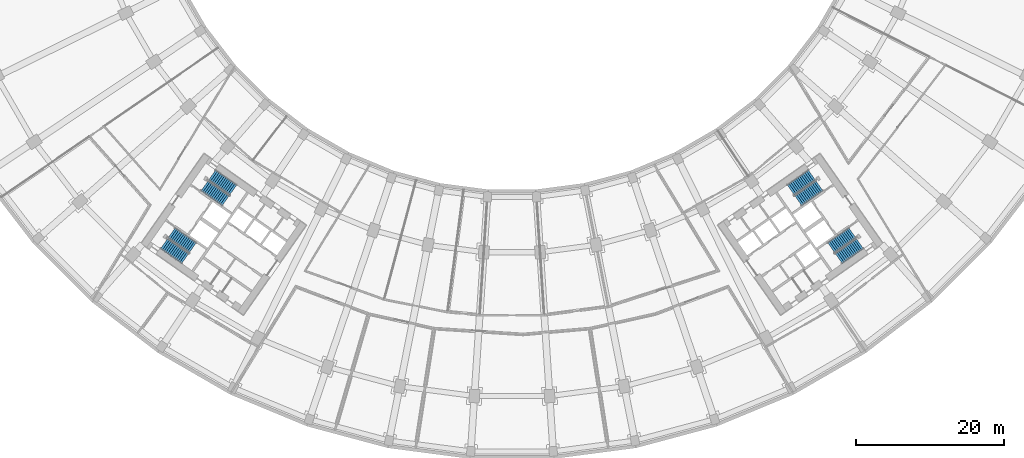
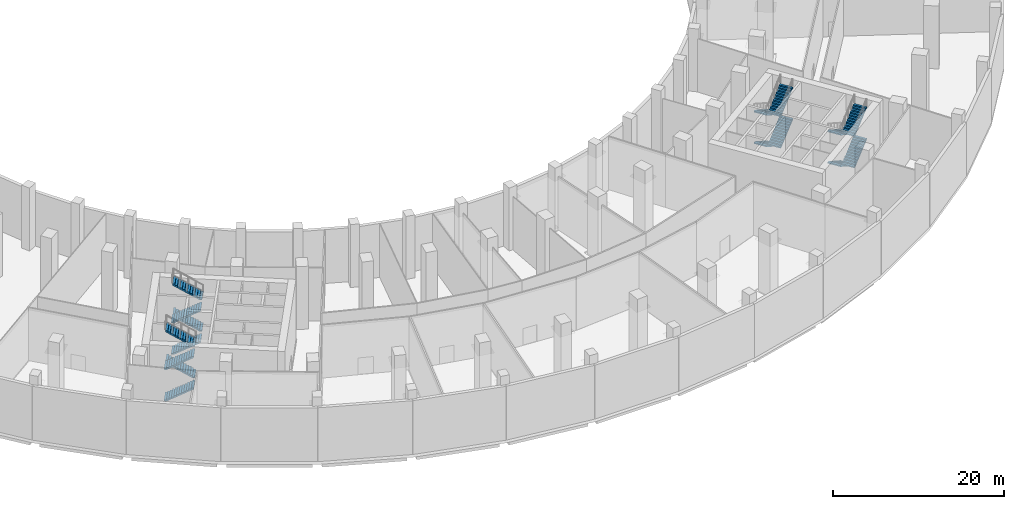
# One storey, part 12 of 17: 16 stair flights, 4 elements without a shape of their own.
"""IFC4 building model written with IfcOpenShell, lengths in metres."""

from ifc_helpers import new_model, si_unit, direction, frame, origin, place, context, subcontext, project, spatial, polyline, outline, extrude, material, type_object, element, aggregate, save


model = new_model("IFC4")

# Units and contexts
model_context = context("Model", 3, precision=1e-05, world=origin(), true_north=direction((0.0, 1.0)))
body_context = subcontext(model_context, "Body", "Model", "MODEL_VIEW")
ifc_project = project(units=[si_unit("LENGTHUNIT", "METRE"), si_unit("AREAUNIT", "SQUARE_METRE"), si_unit("VOLUMEUNIT", "CUBIC_METRE"), si_unit("PLANEANGLEUNIT", "RADIAN"), si_unit("MASSUNIT", "GRAM", prefix="KILO")], contexts=[model_context])

# Site, building, storey
site_placement = place(None, origin())
site = spatial("IfcSite", under=ifc_project, at=site_placement, CompositionType="ELEMENT")
building_placement = place(site_placement, origin())
building = spatial("IfcBuilding", under=site, at=building_placement, Name="Qamariyya Broadcast Tower", CompositionType="ELEMENT")
storey_placement = place(building_placement, frame((0.0, 0.0, 18.0)))
storey = spatial("IfcBuildingStorey", under=building, at=storey_placement, Name="L02", CompositionType="ELEMENT", Elevation=18.0)

# Stair, stair flights
ifc_material = material(Name="Concrete C50/60", Category="concrete")
stair_type = type_object("IfcStairType", Name="Exit stair 52 risers of 173 mm", PredefinedType="HALF_TURN_STAIR", material=ifc_material)
stair_1_placement = place(storey_placement, origin())
stair_1 = element("IfcStair", 1, at=stair_1_placement, inside=storey, type_object=stair_type, Name="L02 Stair W2", PredefinedType="HALF_TURN_STAIR")
stair_flight_type = type_object("IfcStairFlightType", Name="Exit stair flight 13 risers of 173 mm", PredefinedType="STRAIGHT", material=ifc_material)
stair_flight_1_placement = place(storey_placement, frame((-41.59130859375, -49.15966796875, 0.0), z_axis=(0.0, 0.0, 1.0), x_axis=(0.819152044289, -0.573576436351, 0.0)))
stair_flight_1 = element("IfcStairFlight", 2, at=stair_flight_1_placement, type_object=stair_flight_type, Name="ST-W2 flight 1", NumberOfRisers=13, NumberOfTreads=12, PredefinedType="STRAIGHT", RiserHeight=0.173076923, TreadLength=0.29, context=body_context, shape_type="SweptSolid", body=[
    extrude(outline(polyline([(0.0, 0.0), (0.0, 0.173095703125), (0.2900390625, 0.173095703125), (0.2900390625, 0.34619140625), (0.580078125, 0.34619140625), (0.580078125, 0.519287109375), (0.8701171875, 0.519287109375), (0.8701171875, 0.6923828125), (1.159912109375, 0.6923828125), (1.159912109375, 0.865478515625), (1.449951171875, 0.865478515625), (1.449951171875, 1.03857421875), (1.739990234375, 1.03857421875), (1.739990234375, 1.21142578125), (2.030029296875, 1.21142578125), (2.030029296875, 1.384521484375), (2.320068359375, 1.384521484375), (2.320068359375, 1.5576171875), (2.610107421875, 1.5576171875), (2.610107421875, 1.730712890625), (2.89990234375, 1.730712890625), (2.89990234375, 1.90380859375), (3.18994140625, 1.90380859375), (3.18994140625, 2.076904296875), (3.47998046875, 2.076904296875), (3.47998046875, 2.25), (3.47998046875, 1.90234375), (0.29248046875, 0.0), (0.0, 0.0)])), frame((0.0, 0.824951171875, 0.0), z_axis=(0.0, -1.0, 0.0), x_axis=(1.0, 0.0, 0.0)), (0.0, 0.0, 1.0), 1.64990234375),
])
stair_flight_2_placement = place(storey_placement, frame((-37.7080078125, -49.681396484375, 2.25), z_axis=(0.0, 0.0, 1.0), x_axis=(-0.819152044289, 0.573576436351, 0.0)))
stair_flight_2 = element("IfcStairFlight", 3, at=stair_flight_2_placement, type_object=stair_flight_type, Name="ST-W2 flight 2", NumberOfRisers=13, NumberOfTreads=12, PredefinedType="STRAIGHT", RiserHeight=0.173076923, TreadLength=0.29, context=body_context, shape_type="SweptSolid", body=[
    extrude(outline(polyline([(0.0, 0.0), (0.0, 0.173095703125), (0.2900390625, 0.173095703125), (0.2900390625, 0.34619140625), (0.580078125, 0.34619140625), (0.580078125, 0.519287109375), (0.8701171875, 0.519287109375), (0.8701171875, 0.6923828125), (1.159912109375, 0.6923828125), (1.159912109375, 0.865478515625), (1.449951171875, 0.865478515625), (1.449951171875, 1.03857421875), (1.739990234375, 1.03857421875), (1.739990234375, 1.21142578125), (2.030029296875, 1.21142578125), (2.030029296875, 1.384521484375), (2.320068359375, 1.384521484375), (2.320068359375, 1.5576171875), (2.610107421875, 1.5576171875), (2.610107421875, 1.730712890625), (2.89990234375, 1.730712890625), (2.89990234375, 1.90380859375), (3.18994140625, 1.90380859375), (3.18994140625, 2.076904296875), (3.47998046875, 2.076904296875), (3.47998046875, 2.25), (3.47998046875, 1.90234375), (0.29248046875, 0.0), (0.0, 0.0)])), frame((0.0, 0.824951171875, 0.0), z_axis=(0.0, -1.0, 0.0), x_axis=(1.0, 0.0, 0.0)), (0.0, 0.0, 1.0), 1.64990234375),
])
stair_flight_3_placement = place(storey_placement, frame((-41.59130859375, -49.15966796875, 4.5), z_axis=(0.0, 0.0, 1.0), x_axis=(0.819152044289, -0.573576436351, 0.0)))
stair_flight_3 = element("IfcStairFlight", 4, at=stair_flight_3_placement, type_object=stair_flight_type, Name="ST-W2 flight 3", NumberOfRisers=13, NumberOfTreads=12, PredefinedType="STRAIGHT", RiserHeight=0.173076923, TreadLength=0.29, context=body_context, shape_type="SweptSolid", body=[
    extrude(outline(polyline([(0.0, 0.0), (0.0, 0.173095703125), (0.2900390625, 0.173095703125), (0.2900390625, 0.34619140625), (0.580078125, 0.34619140625), (0.580078125, 0.519287109375), (0.8701171875, 0.519287109375), (0.8701171875, 0.6923828125), (1.159912109375, 0.6923828125), (1.159912109375, 0.865478515625), (1.449951171875, 0.865478515625), (1.449951171875, 1.03857421875), (1.739990234375, 1.03857421875), (1.739990234375, 1.21142578125), (2.030029296875, 1.21142578125), (2.030029296875, 1.384521484375), (2.320068359375, 1.384521484375), (2.320068359375, 1.5576171875), (2.610107421875, 1.5576171875), (2.610107421875, 1.730712890625), (2.89990234375, 1.730712890625), (2.89990234375, 1.90380859375), (3.18994140625, 1.90380859375), (3.18994140625, 2.076904296875), (3.47998046875, 2.076904296875), (3.47998046875, 2.25), (3.47998046875, 1.90234375), (0.29248046875, 0.0), (0.0, 0.0)])), frame((0.0, 0.824951171875, 0.0), z_axis=(0.0, -1.0, 0.0), x_axis=(1.0, 0.0, 0.0)), (0.0, 0.0, 1.0), 1.64990234375),
])
stair_flight_4_placement = place(storey_placement, frame((-37.7080078125, -49.681396484375, 6.75), z_axis=(0.0, 0.0, 1.0), x_axis=(-0.819152044289, 0.573576436351, 0.0)))
stair_flight_4 = element("IfcStairFlight", 5, at=stair_flight_4_placement, type_object=stair_flight_type, Name="ST-W2 flight 4", NumberOfRisers=13, NumberOfTreads=12, PredefinedType="STRAIGHT", RiserHeight=0.173076923, TreadLength=0.29, context=body_context, shape_type="SweptSolid", body=[
    extrude(outline(polyline([(0.0, 0.0), (0.0, 0.173095703125), (0.2900390625, 0.173095703125), (0.2900390625, 0.34619140625), (0.580078125, 0.34619140625), (0.580078125, 0.519287109375), (0.8701171875, 0.519287109375), (0.8701171875, 0.6923828125), (1.159912109375, 0.6923828125), (1.159912109375, 0.865478515625), (1.449951171875, 0.865478515625), (1.449951171875, 1.03857421875), (1.739990234375, 1.03857421875), (1.739990234375, 1.21142578125), (2.030029296875, 1.21142578125), (2.030029296875, 1.384521484375), (2.320068359375, 1.384521484375), (2.320068359375, 1.5576171875), (2.610107421875, 1.5576171875), (2.610107421875, 1.730712890625), (2.89990234375, 1.730712890625), (2.89990234375, 1.90380859375), (3.18994140625, 1.90380859375), (3.18994140625, 2.076904296875), (3.47998046875, 2.076904296875), (3.47998046875, 2.25), (3.47998046875, 1.90234375), (0.29248046875, 0.0), (0.0, 0.0)])), frame((0.0, 0.824951171875, 0.0), z_axis=(0.0, -1.0, 0.0), x_axis=(1.0, 0.0, 0.0)), (0.0, 0.0, 1.0), 1.64990234375),
])
aggregate(stair_1, [stair_flight_1, stair_flight_2, stair_flight_3, stair_flight_4])

stair_2_placement = place(storey_placement, origin())
stair_2 = element("IfcStair", 6, at=stair_2_placement, inside=storey, type_object=stair_type, Name="L02 Stair W1", PredefinedType="HALF_TURN_STAIR")
stair_flight_5_placement = place(storey_placement, frame((-47.06884765625, -56.982666015625, 0.0), z_axis=(0.0, 0.0, 1.0), x_axis=(0.819152044289, -0.573576436351, 0.0)))
stair_flight_5 = element("IfcStairFlight", 7, at=stair_flight_5_placement, type_object=stair_flight_type, Name="ST-W1 flight 1", NumberOfRisers=13, NumberOfTreads=12, PredefinedType="STRAIGHT", RiserHeight=0.173076923, TreadLength=0.29, context=body_context, shape_type="SweptSolid", body=[
    extrude(outline(polyline([(0.0, 0.0), (0.0, 0.173095703125), (0.2900390625, 0.173095703125), (0.2900390625, 0.34619140625), (0.580078125, 0.34619140625), (0.580078125, 0.519287109375), (0.8701171875, 0.519287109375), (0.8701171875, 0.6923828125), (1.159912109375, 0.6923828125), (1.159912109375, 0.865478515625), (1.449951171875, 0.865478515625), (1.449951171875, 1.03857421875), (1.739990234375, 1.03857421875), (1.739990234375, 1.21142578125), (2.030029296875, 1.21142578125), (2.030029296875, 1.384521484375), (2.320068359375, 1.384521484375), (2.320068359375, 1.5576171875), (2.610107421875, 1.5576171875), (2.610107421875, 1.730712890625), (2.89990234375, 1.730712890625), (2.89990234375, 1.90380859375), (3.18994140625, 1.90380859375), (3.18994140625, 2.076904296875), (3.47998046875, 2.076904296875), (3.47998046875, 2.25), (3.47998046875, 1.90234375), (0.29248046875, 0.0), (0.0, 0.0)])), frame((0.0, 0.824951171875, 0.0), z_axis=(0.0, -1.0, 0.0), x_axis=(1.0, 0.0, 0.0)), (0.0, 0.0, 1.0), 1.64990234375),
])
stair_flight_6_placement = place(storey_placement, frame((-43.185791015625, -57.504150390625, 2.25), z_axis=(0.0, 0.0, 1.0), x_axis=(-0.819152044289, 0.573576436351, 0.0)))
stair_flight_6 = element("IfcStairFlight", 8, at=stair_flight_6_placement, type_object=stair_flight_type, Name="ST-W1 flight 2", NumberOfRisers=13, NumberOfTreads=12, PredefinedType="STRAIGHT", RiserHeight=0.173076923, TreadLength=0.29, context=body_context, shape_type="SweptSolid", body=[
    extrude(outline(polyline([(0.0, 0.0), (0.0, 0.173095703125), (0.2900390625, 0.173095703125), (0.2900390625, 0.34619140625), (0.580078125, 0.34619140625), (0.580078125, 0.519287109375), (0.8701171875, 0.519287109375), (0.8701171875, 0.6923828125), (1.159912109375, 0.6923828125), (1.159912109375, 0.865478515625), (1.449951171875, 0.865478515625), (1.449951171875, 1.03857421875), (1.739990234375, 1.03857421875), (1.739990234375, 1.21142578125), (2.030029296875, 1.21142578125), (2.030029296875, 1.384521484375), (2.320068359375, 1.384521484375), (2.320068359375, 1.5576171875), (2.610107421875, 1.5576171875), (2.610107421875, 1.730712890625), (2.89990234375, 1.730712890625), (2.89990234375, 1.90380859375), (3.18994140625, 1.90380859375), (3.18994140625, 2.076904296875), (3.47998046875, 2.076904296875), (3.47998046875, 2.25), (3.47998046875, 1.90234375), (0.29248046875, 0.0), (0.0, 0.0)])), frame((0.0, 0.824951171875, 0.0), z_axis=(0.0, -1.0, 0.0), x_axis=(1.0, 0.0, 0.0)), (0.0, 0.0, 1.0), 1.64990234375),
])
stair_flight_7_placement = place(storey_placement, frame((-47.06884765625, -56.982666015625, 4.5), z_axis=(0.0, 0.0, 1.0), x_axis=(0.819152044289, -0.573576436351, 0.0)))
stair_flight_7 = element("IfcStairFlight", 9, at=stair_flight_7_placement, type_object=stair_flight_type, Name="ST-W1 flight 3", NumberOfRisers=13, NumberOfTreads=12, PredefinedType="STRAIGHT", RiserHeight=0.173076923, TreadLength=0.29, context=body_context, shape_type="SweptSolid", body=[
    extrude(outline(polyline([(0.0, 0.0), (0.0, 0.173095703125), (0.2900390625, 0.173095703125), (0.2900390625, 0.34619140625), (0.580078125, 0.34619140625), (0.580078125, 0.519287109375), (0.8701171875, 0.519287109375), (0.8701171875, 0.6923828125), (1.159912109375, 0.6923828125), (1.159912109375, 0.865478515625), (1.449951171875, 0.865478515625), (1.449951171875, 1.03857421875), (1.739990234375, 1.03857421875), (1.739990234375, 1.21142578125), (2.030029296875, 1.21142578125), (2.030029296875, 1.384521484375), (2.320068359375, 1.384521484375), (2.320068359375, 1.5576171875), (2.610107421875, 1.5576171875), (2.610107421875, 1.730712890625), (2.89990234375, 1.730712890625), (2.89990234375, 1.90380859375), (3.18994140625, 1.90380859375), (3.18994140625, 2.076904296875), (3.47998046875, 2.076904296875), (3.47998046875, 2.25), (3.47998046875, 1.90234375), (0.29248046875, 0.0), (0.0, 0.0)])), frame((0.0, 0.824951171875, 0.0), z_axis=(0.0, -1.0, 0.0), x_axis=(1.0, 0.0, 0.0)), (0.0, 0.0, 1.0), 1.64990234375),
])
stair_flight_8_placement = place(storey_placement, frame((-43.185791015625, -57.504150390625, 6.75), z_axis=(0.0, 0.0, 1.0), x_axis=(-0.819152044289, 0.573576436351, 0.0)))
stair_flight_8 = element("IfcStairFlight", 10, at=stair_flight_8_placement, type_object=stair_flight_type, Name="ST-W1 flight 4", NumberOfRisers=13, NumberOfTreads=12, PredefinedType="STRAIGHT", RiserHeight=0.173076923, TreadLength=0.29, context=body_context, shape_type="SweptSolid", body=[
    extrude(outline(polyline([(0.0, 0.0), (0.0, 0.173095703125), (0.2900390625, 0.173095703125), (0.2900390625, 0.34619140625), (0.580078125, 0.34619140625), (0.580078125, 0.519287109375), (0.8701171875, 0.519287109375), (0.8701171875, 0.6923828125), (1.159912109375, 0.6923828125), (1.159912109375, 0.865478515625), (1.449951171875, 0.865478515625), (1.449951171875, 1.03857421875), (1.739990234375, 1.03857421875), (1.739990234375, 1.21142578125), (2.030029296875, 1.21142578125), (2.030029296875, 1.384521484375), (2.320068359375, 1.384521484375), (2.320068359375, 1.5576171875), (2.610107421875, 1.5576171875), (2.610107421875, 1.730712890625), (2.89990234375, 1.730712890625), (2.89990234375, 1.90380859375), (3.18994140625, 1.90380859375), (3.18994140625, 2.076904296875), (3.47998046875, 2.076904296875), (3.47998046875, 2.25), (3.47998046875, 1.90234375), (0.29248046875, 0.0), (0.0, 0.0)])), frame((0.0, 0.824951171875, 0.0), z_axis=(0.0, -1.0, 0.0), x_axis=(1.0, 0.0, 0.0)), (0.0, 0.0, 1.0), 1.64990234375),
])
aggregate(stair_2, [stair_flight_5, stair_flight_6, stair_flight_7, stair_flight_8])

stair_3_placement = place(storey_placement, origin())
stair_3 = element("IfcStair", 11, at=stair_3_placement, inside=storey, type_object=stair_type, Name="L02 Stair E2", PredefinedType="HALF_TURN_STAIR")
stair_flight_9_placement = place(storey_placement, frame((40.558837890625, -47.685302734375, 0.0), z_axis=(0.0, 0.0, 1.0), x_axis=(-0.819152044289, -0.573576436351, 0.0)))
stair_flight_9 = element("IfcStairFlight", 12, at=stair_flight_9_placement, type_object=stair_flight_type, Name="ST-E2 flight 1", NumberOfRisers=13, NumberOfTreads=12, PredefinedType="STRAIGHT", RiserHeight=0.173076923, TreadLength=0.29, context=body_context, shape_type="SweptSolid", body=[
    extrude(outline(polyline([(0.0, 0.0), (0.0, 0.173095703125), (0.2900390625, 0.173095703125), (0.2900390625, 0.34619140625), (0.580078125, 0.34619140625), (0.580078125, 0.519287109375), (0.8701171875, 0.519287109375), (0.8701171875, 0.6923828125), (1.159912109375, 0.6923828125), (1.159912109375, 0.865478515625), (1.449951171875, 0.865478515625), (1.449951171875, 1.03857421875), (1.739990234375, 1.03857421875), (1.739990234375, 1.21142578125), (2.030029296875, 1.21142578125), (2.030029296875, 1.384521484375), (2.320068359375, 1.384521484375), (2.320068359375, 1.5576171875), (2.610107421875, 1.5576171875), (2.610107421875, 1.730712890625), (2.89990234375, 1.730712890625), (2.89990234375, 1.90380859375), (3.18994140625, 1.90380859375), (3.18994140625, 2.076904296875), (3.47998046875, 2.076904296875), (3.47998046875, 2.25), (3.47998046875, 1.90234375), (0.29248046875, 0.0), (0.0, 0.0)])), frame((0.0, 0.824951171875, 0.0), z_axis=(0.0, -1.0, 0.0), x_axis=(1.0, 0.0, 0.0)), (0.0, 0.0, 1.0), 1.64990234375),
])
stair_flight_10_placement = place(storey_placement, frame((38.740478515625, -51.15576171875, 2.25), z_axis=(0.0, 0.0, 1.0), x_axis=(0.819152044289, 0.573576436351, 0.0)))
stair_flight_10 = element("IfcStairFlight", 13, at=stair_flight_10_placement, type_object=stair_flight_type, Name="ST-E2 flight 2", NumberOfRisers=13, NumberOfTreads=12, PredefinedType="STRAIGHT", RiserHeight=0.173076923, TreadLength=0.29, context=body_context, shape_type="SweptSolid", body=[
    extrude(outline(polyline([(0.0, 0.0), (0.0, 0.173095703125), (0.2900390625, 0.173095703125), (0.2900390625, 0.34619140625), (0.580078125, 0.34619140625), (0.580078125, 0.519287109375), (0.8701171875, 0.519287109375), (0.8701171875, 0.6923828125), (1.159912109375, 0.6923828125), (1.159912109375, 0.865478515625), (1.449951171875, 0.865478515625), (1.449951171875, 1.03857421875), (1.739990234375, 1.03857421875), (1.739990234375, 1.21142578125), (2.030029296875, 1.21142578125), (2.030029296875, 1.384521484375), (2.320068359375, 1.384521484375), (2.320068359375, 1.5576171875), (2.610107421875, 1.5576171875), (2.610107421875, 1.730712890625), (2.89990234375, 1.730712890625), (2.89990234375, 1.90380859375), (3.18994140625, 1.90380859375), (3.18994140625, 2.076904296875), (3.47998046875, 2.076904296875), (3.47998046875, 2.25), (3.47998046875, 1.90234375), (0.29248046875, 0.0), (0.0, 0.0)])), frame((0.0, 0.824951171875, 0.0), z_axis=(0.0, -1.0, 0.0), x_axis=(1.0, 0.0, 0.0)), (0.0, 0.0, 1.0), 1.64990234375),
])
stair_flight_11_placement = place(storey_placement, frame((40.558837890625, -47.685302734375, 4.5), z_axis=(0.0, 0.0, 1.0), x_axis=(-0.819152044289, -0.573576436351, 0.0)))
stair_flight_11 = element("IfcStairFlight", 14, at=stair_flight_11_placement, type_object=stair_flight_type, Name="ST-E2 flight 3", NumberOfRisers=13, NumberOfTreads=12, PredefinedType="STRAIGHT", RiserHeight=0.173076923, TreadLength=0.29, context=body_context, shape_type="SweptSolid", body=[
    extrude(outline(polyline([(0.0, 0.0), (0.0, 0.173095703125), (0.2900390625, 0.173095703125), (0.2900390625, 0.34619140625), (0.580078125, 0.34619140625), (0.580078125, 0.519287109375), (0.8701171875, 0.519287109375), (0.8701171875, 0.6923828125), (1.159912109375, 0.6923828125), (1.159912109375, 0.865478515625), (1.449951171875, 0.865478515625), (1.449951171875, 1.03857421875), (1.739990234375, 1.03857421875), (1.739990234375, 1.21142578125), (2.030029296875, 1.21142578125), (2.030029296875, 1.384521484375), (2.320068359375, 1.384521484375), (2.320068359375, 1.5576171875), (2.610107421875, 1.5576171875), (2.610107421875, 1.730712890625), (2.89990234375, 1.730712890625), (2.89990234375, 1.90380859375), (3.18994140625, 1.90380859375), (3.18994140625, 2.076904296875), (3.47998046875, 2.076904296875), (3.47998046875, 2.25), (3.47998046875, 1.90234375), (0.29248046875, 0.0), (0.0, 0.0)])), frame((0.0, 0.824951171875, 0.0), z_axis=(0.0, -1.0, 0.0), x_axis=(1.0, 0.0, 0.0)), (0.0, 0.0, 1.0), 1.64990234375),
])
stair_flight_12_placement = place(storey_placement, frame((38.740478515625, -51.15576171875, 6.75), z_axis=(0.0, 0.0, 1.0), x_axis=(0.819152044289, 0.573576436351, 0.0)))
stair_flight_12 = element("IfcStairFlight", 15, at=stair_flight_12_placement, type_object=stair_flight_type, Name="ST-E2 flight 4", NumberOfRisers=13, NumberOfTreads=12, PredefinedType="STRAIGHT", RiserHeight=0.173076923, TreadLength=0.29, context=body_context, shape_type="SweptSolid", body=[
    extrude(outline(polyline([(0.0, 0.0), (0.0, 0.173095703125), (0.2900390625, 0.173095703125), (0.2900390625, 0.34619140625), (0.580078125, 0.34619140625), (0.580078125, 0.519287109375), (0.8701171875, 0.519287109375), (0.8701171875, 0.6923828125), (1.159912109375, 0.6923828125), (1.159912109375, 0.865478515625), (1.449951171875, 0.865478515625), (1.449951171875, 1.03857421875), (1.739990234375, 1.03857421875), (1.739990234375, 1.21142578125), (2.030029296875, 1.21142578125), (2.030029296875, 1.384521484375), (2.320068359375, 1.384521484375), (2.320068359375, 1.5576171875), (2.610107421875, 1.5576171875), (2.610107421875, 1.730712890625), (2.89990234375, 1.730712890625), (2.89990234375, 1.90380859375), (3.18994140625, 1.90380859375), (3.18994140625, 2.076904296875), (3.47998046875, 2.076904296875), (3.47998046875, 2.25), (3.47998046875, 1.90234375), (0.29248046875, 0.0), (0.0, 0.0)])), frame((0.0, 0.824951171875, 0.0), z_axis=(0.0, -1.0, 0.0), x_axis=(1.0, 0.0, 0.0)), (0.0, 0.0, 1.0), 1.64990234375),
])
aggregate(stair_3, [stair_flight_9, stair_flight_10, stair_flight_11, stair_flight_12])

stair_4_placement = place(storey_placement, origin())
stair_4 = element("IfcStair", 16, at=stair_4_placement, inside=storey, type_object=stair_type, Name="L02 Stair E1", PredefinedType="HALF_TURN_STAIR")
stair_flight_13_placement = place(storey_placement, frame((46.036376953125, -55.508056640625, 0.0), z_axis=(0.0, 0.0, 1.0), x_axis=(-0.819152044289, -0.573576436351, 0.0)))
stair_flight_13 = element("IfcStairFlight", 17, at=stair_flight_13_placement, type_object=stair_flight_type, Name="ST-E1 flight 1", NumberOfRisers=13, NumberOfTreads=12, PredefinedType="STRAIGHT", RiserHeight=0.173076923, TreadLength=0.29, context=body_context, shape_type="SweptSolid", body=[
    extrude(outline(polyline([(0.0, 0.0), (0.0, 0.173095703125), (0.2900390625, 0.173095703125), (0.2900390625, 0.34619140625), (0.580078125, 0.34619140625), (0.580078125, 0.519287109375), (0.8701171875, 0.519287109375), (0.8701171875, 0.6923828125), (1.159912109375, 0.6923828125), (1.159912109375, 0.865478515625), (1.449951171875, 0.865478515625), (1.449951171875, 1.03857421875), (1.739990234375, 1.03857421875), (1.739990234375, 1.21142578125), (2.030029296875, 1.21142578125), (2.030029296875, 1.384521484375), (2.320068359375, 1.384521484375), (2.320068359375, 1.5576171875), (2.610107421875, 1.5576171875), (2.610107421875, 1.730712890625), (2.89990234375, 1.730712890625), (2.89990234375, 1.90380859375), (3.18994140625, 1.90380859375), (3.18994140625, 2.076904296875), (3.47998046875, 2.076904296875), (3.47998046875, 2.25), (3.47998046875, 1.90234375), (0.29248046875, 0.0), (0.0, 0.0)])), frame((0.0, 0.824951171875, 0.0), z_axis=(0.0, -1.0, 0.0), x_axis=(1.0, 0.0, 0.0)), (0.0, 0.0, 1.0), 1.64990234375),
])
stair_flight_14_placement = place(storey_placement, frame((44.21826171875, -58.978759765625, 2.25), z_axis=(0.0, 0.0, 1.0), x_axis=(0.819152044289, 0.573576436351, 0.0)))
stair_flight_14 = element("IfcStairFlight", 18, at=stair_flight_14_placement, type_object=stair_flight_type, Name="ST-E1 flight 2", NumberOfRisers=13, NumberOfTreads=12, PredefinedType="STRAIGHT", RiserHeight=0.173076923, TreadLength=0.29, context=body_context, shape_type="SweptSolid", body=[
    extrude(outline(polyline([(0.0, 0.0), (0.0, 0.173095703125), (0.2900390625, 0.173095703125), (0.2900390625, 0.34619140625), (0.580078125, 0.34619140625), (0.580078125, 0.519287109375), (0.8701171875, 0.519287109375), (0.8701171875, 0.6923828125), (1.159912109375, 0.6923828125), (1.159912109375, 0.865478515625), (1.449951171875, 0.865478515625), (1.449951171875, 1.03857421875), (1.739990234375, 1.03857421875), (1.739990234375, 1.21142578125), (2.030029296875, 1.21142578125), (2.030029296875, 1.384521484375), (2.320068359375, 1.384521484375), (2.320068359375, 1.5576171875), (2.610107421875, 1.5576171875), (2.610107421875, 1.730712890625), (2.89990234375, 1.730712890625), (2.89990234375, 1.90380859375), (3.18994140625, 1.90380859375), (3.18994140625, 2.076904296875), (3.47998046875, 2.076904296875), (3.47998046875, 2.25), (3.47998046875, 1.90234375), (0.29248046875, 0.0), (0.0, 0.0)])), frame((0.0, 0.824951171875, 0.0), z_axis=(0.0, -1.0, 0.0), x_axis=(1.0, 0.0, 0.0)), (0.0, 0.0, 1.0), 1.64990234375),
])
stair_flight_15_placement = place(storey_placement, frame((46.036376953125, -55.508056640625, 4.5), z_axis=(0.0, 0.0, 1.0), x_axis=(-0.819152044289, -0.573576436351, 0.0)))
stair_flight_15 = element("IfcStairFlight", 19, at=stair_flight_15_placement, type_object=stair_flight_type, Name="ST-E1 flight 3", NumberOfRisers=13, NumberOfTreads=12, PredefinedType="STRAIGHT", RiserHeight=0.173076923, TreadLength=0.29, context=body_context, shape_type="SweptSolid", body=[
    extrude(outline(polyline([(0.0, 0.0), (0.0, 0.173095703125), (0.2900390625, 0.173095703125), (0.2900390625, 0.34619140625), (0.580078125, 0.34619140625), (0.580078125, 0.519287109375), (0.8701171875, 0.519287109375), (0.8701171875, 0.6923828125), (1.159912109375, 0.6923828125), (1.159912109375, 0.865478515625), (1.449951171875, 0.865478515625), (1.449951171875, 1.03857421875), (1.739990234375, 1.03857421875), (1.739990234375, 1.21142578125), (2.030029296875, 1.21142578125), (2.030029296875, 1.384521484375), (2.320068359375, 1.384521484375), (2.320068359375, 1.5576171875), (2.610107421875, 1.5576171875), (2.610107421875, 1.730712890625), (2.89990234375, 1.730712890625), (2.89990234375, 1.90380859375), (3.18994140625, 1.90380859375), (3.18994140625, 2.076904296875), (3.47998046875, 2.076904296875), (3.47998046875, 2.25), (3.47998046875, 1.90234375), (0.29248046875, 0.0), (0.0, 0.0)])), frame((0.0, 0.824951171875, 0.0), z_axis=(0.0, -1.0, 0.0), x_axis=(1.0, 0.0, 0.0)), (0.0, 0.0, 1.0), 1.64990234375),
])
stair_flight_16_placement = place(storey_placement, frame((44.21826171875, -58.978759765625, 6.75), z_axis=(0.0, 0.0, 1.0), x_axis=(0.819152044289, 0.573576436351, 0.0)))
stair_flight_16 = element("IfcStairFlight", 20, at=stair_flight_16_placement, type_object=stair_flight_type, Name="ST-E1 flight 4", NumberOfRisers=13, NumberOfTreads=12, PredefinedType="STRAIGHT", RiserHeight=0.173076923, TreadLength=0.29, context=body_context, shape_type="SweptSolid", body=[
    extrude(outline(polyline([(0.0, 0.0), (0.0, 0.173095703125), (0.2900390625, 0.173095703125), (0.2900390625, 0.34619140625), (0.580078125, 0.34619140625), (0.580078125, 0.519287109375), (0.8701171875, 0.519287109375), (0.8701171875, 0.6923828125), (1.159912109375, 0.6923828125), (1.159912109375, 0.865478515625), (1.449951171875, 0.865478515625), (1.449951171875, 1.03857421875), (1.739990234375, 1.03857421875), (1.739990234375, 1.21142578125), (2.030029296875, 1.21142578125), (2.030029296875, 1.384521484375), (2.320068359375, 1.384521484375), (2.320068359375, 1.5576171875), (2.610107421875, 1.5576171875), (2.610107421875, 1.730712890625), (2.89990234375, 1.730712890625), (2.89990234375, 1.90380859375), (3.18994140625, 1.90380859375), (3.18994140625, 2.076904296875), (3.47998046875, 2.076904296875), (3.47998046875, 2.25), (3.47998046875, 1.90234375), (0.29248046875, 0.0), (0.0, 0.0)])), frame((0.0, 0.824951171875, 0.0), z_axis=(0.0, -1.0, 0.0), x_axis=(1.0, 0.0, 0.0)), (0.0, 0.0, 1.0), 1.64990234375),
])
aggregate(stair_4, [stair_flight_13, stair_flight_14, stair_flight_15, stair_flight_16])

save(model, "model.ifc")
